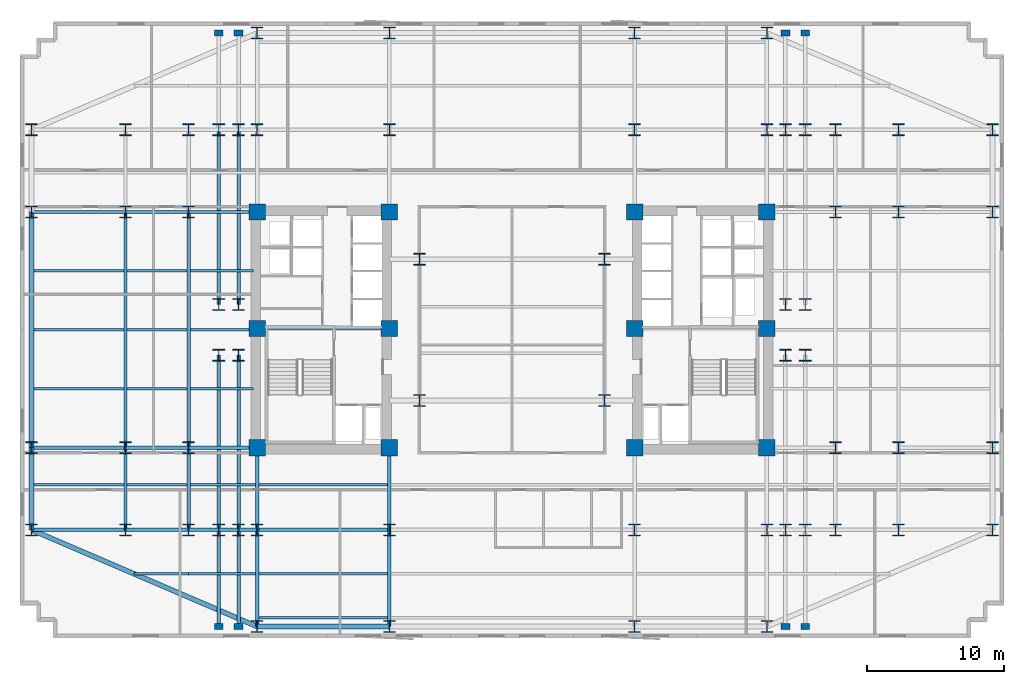
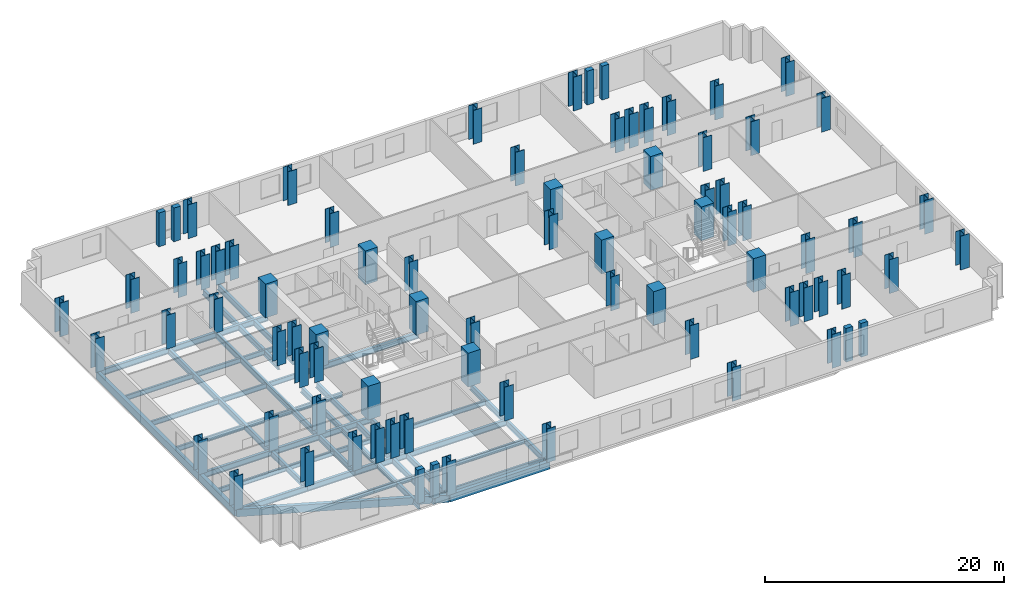
# One storey, part 1 of 10: 80 columns, 46 beams.
"""IFC4 building model written with IfcOpenShell, lengths in metres."""

from ifc_helpers import new_model, si_unit, direction, frame, origin, origin_2d, place, context, subcontext, project, spatial, rectangle, i_section, extrude, material, material_profile, profile_set, type_object, element, save


model = new_model("IFC4")

# Units and contexts
model_context = context("Model", 3, precision=1e-05, world=origin(), true_north=direction((0.0, 1.0)))
body_context = subcontext(model_context, "Body", "Model", "MODEL_VIEW")
ifc_project = project(units=[si_unit("LENGTHUNIT", "METRE"), si_unit("AREAUNIT", "SQUARE_METRE"), si_unit("VOLUMEUNIT", "CUBIC_METRE"), si_unit("PLANEANGLEUNIT", "RADIAN"), si_unit("MASSUNIT", "GRAM", prefix="KILO")], contexts=[model_context])

# Site, building, storey
site_placement = place(None, origin())
site = spatial("IfcSite", under=ifc_project, at=site_placement, CompositionType="ELEMENT")
building_placement = place(site_placement, origin())
building = spatial("IfcBuilding", under=site, at=building_placement, Name="Velakula Bourse", CompositionType="ELEMENT")
storey_placement = place(building_placement, frame((0.0, 0.0, 62.25)))
storey = spatial("IfcBuildingStorey", under=building, at=storey_placement, Name="L16", CompositionType="ELEMENT", Elevation=62.25)

# Columns
ifc_material_1 = material(Name="Concrete M70 (fck 70 MPa)", Category="concrete")
ifc_material_profile_1 = material_profile(ifc_material_1, rectangle(XDim=1.199951171875, YDim=1.199951171875, at=origin_2d()), Name="Concrete M70 (fck 70 MPa)")
ifc_profile_set_1 = profile_set([ifc_material_profile_1], Name="Concrete M70 (fck 70 MPa)")
column_type_1 = type_object("IfcColumnType", Name="COL-RC-1200", PredefinedType="COLUMN", material=ifc_profile_set_1)
for number, where, z_axis, x_axis, name in (
    (1, (-8.949951171875, -8.60009765625, 0.0), (0.0, 0.0, 1.0), (1.0, 0.0, 0.0), "L16 Core Boundary Column 01"),
    (2, (-8.949951171875, 0.10009765625, 0.0), (0.0, 0.0, 1.0), (1.0, 0.0, 0.0), "L16 Core Boundary Column 02"),
    (3, (-8.949951171875, 8.60009765625, 0.0), (0.0, 0.0, 1.0), (1.0, 0.0, 0.0), "L16 Core Boundary Column 03"),
    (4, (-18.60009765625, -8.60009765625, 0.0), (0.0, 0.0, 1.0), (1.0, 0.0, 0.0), "L16 Core Boundary Column 04"),
    (5, (-18.60009765625, 0.10009765625, 0.0), (0.0, 0.0, 1.0), (1.0, 0.0, 0.0), "L16 Core Boundary Column 05"),
    (6, (-18.60009765625, 8.60009765625, 0.0), (0.0, 0.0, 1.0), (1.0, 0.0, 0.0), "L16 Core Boundary Column 06"),
    (7, (8.949951171875, -8.60009765625, 0.0), (0.0, 0.0, 1.0), (1.0, 0.0, 0.0), "L16 Core Boundary Column 07"),
    (8, (8.949951171875, 0.10009765625, 0.0), (0.0, 0.0, 1.0), (1.0, 0.0, 0.0), "L16 Core Boundary Column 08"),
    (9, (8.949951171875, 8.60009765625, 0.0), (0.0, 0.0, 1.0), (1.0, 0.0, 0.0), "L16 Core Boundary Column 09"),
    (10, (18.60009765625, -8.60009765625, 0.0), (0.0, 0.0, 1.0), (1.0, 0.0, 0.0), "L16 Core Boundary Column 10"),
    (11, (18.60009765625, 0.10009765625, 0.0), (0.0, 0.0, 1.0), (1.0, 0.0, 0.0), "L16 Core Boundary Column 11"),
    (12, (18.60009765625, 8.60009765625, 0.0), (0.0, 0.0, 1.0), (1.0, 0.0, 0.0), "L16 Core Boundary Column 12"),
):
    element("IfcColumn", number, at=place(storey_placement, frame(where, z_axis=z_axis, x_axis=x_axis)), inside=storey, type_object=column_type_1, Name=name, PredefinedType="COLUMN", context=body_context, shape_type="SweptSolid", body=[
        extrude(rectangle(XDim=1.199951171875, YDim=1.199951171875, at=origin_2d()), origin(), (0.0, 0.0, 1.0), 3.449951171875),
    ])
ifc_material_2 = material(Name="Steel IS 2062 Grade 450 (E450)", Category="steel")
ifc_material_profile_2 = material_profile(ifc_material_2, i_section(OverallWidth=0.85009765625, OverallDepth=0.85009765625, WebThickness=0.031982421875, FlangeThickness=0.048095703125, at=origin_2d()), Name="Steel IS 2062 Grade 450 (E450)")
ifc_profile_set_2 = profile_set([ifc_material_profile_2], Name="Steel IS 2062 Grade 450 (E450)")
column_type_2 = type_object("IfcColumnType", Name="COL-STL-850", PredefinedType="COLUMN", material=ifc_profile_set_2)
for number, where, z_axis, x_axis, name in (
    (13, (-6.75, -5.14990234375, 0.0), (0.0, 0.0, 1.0), (1.0, 0.0, 0.0), "L16 Central Spine Column 01"),
    (14, (-6.75, 5.14990234375, 0.0), (0.0, 0.0, 1.0), (1.0, 0.0, 0.0), "L16 Central Spine Column 02"),
    (15, (6.75, -5.14990234375, 0.0), (0.0, 0.0, 1.0), (1.0, 0.0, 0.0), "L16 Central Spine Column 03"),
    (16, (6.75, 5.14990234375, 0.0), (0.0, 0.0, 1.0), (1.0, 0.0, 0.0), "L16 Central Spine Column 04"),
    (17, (-21.39990234375, -14.60009765625, 0.0), (0.0, 0.0, 1.0), (1.0, 0.0, 0.0), "L16 Tower Fulcrum Column 01"),
    (18, (-21.39990234375, 14.60009765625, 0.0), (0.0, 0.0, 1.0), (1.0, 0.0, 0.0), "L16 Tower Fulcrum Column 02"),
    (19, (-19.949951171875, -14.60009765625, 0.0), (0.0, 0.0, 1.0), (1.0, 0.0, 0.0), "L16 Tower Fulcrum Column 03"),
    (20, (-19.949951171875, 14.60009765625, 0.0), (0.0, 0.0, 1.0), (1.0, 0.0, 0.0), "L16 Tower Fulcrum Column 04"),
    (21, (-18.60009765625, -14.60009765625, 0.0), (0.0, 0.0, 1.0), (1.0, 0.0, 0.0), "L16 Tower Fulcrum Column 05"),
    (22, (-18.60009765625, 14.60009765625, 0.0), (0.0, 0.0, 1.0), (1.0, 0.0, 0.0), "L16 Tower Fulcrum Column 06"),
    (23, (-8.949951171875, -14.60009765625, 0.0), (0.0, 0.0, 1.0), (1.0, 0.0, 0.0), "L16 Tower Fulcrum Column 07"),
    (24, (-8.949951171875, 14.60009765625, 0.0), (0.0, 0.0, 1.0), (1.0, 0.0, 0.0), "L16 Tower Fulcrum Column 08"),
    (25, (8.949951171875, -14.60009765625, 0.0), (0.0, 0.0, 1.0), (1.0, 0.0, 0.0), "L16 Tower Fulcrum Column 09"),
    (26, (8.949951171875, 14.60009765625, 0.0), (0.0, 0.0, 1.0), (1.0, 0.0, 0.0), "L16 Tower Fulcrum Column 10"),
    (27, (18.60009765625, -14.60009765625, 0.0), (0.0, 0.0, 1.0), (1.0, 0.0, 0.0), "L16 Tower Fulcrum Column 11"),
    (28, (18.60009765625, 14.60009765625, 0.0), (0.0, 0.0, 1.0), (1.0, 0.0, 0.0), "L16 Tower Fulcrum Column 12"),
    (29, (19.949951171875, -14.60009765625, 0.0), (0.0, 0.0, 1.0), (1.0, 0.0, 0.0), "L16 Tower Fulcrum Column 13"),
    (30, (19.949951171875, 14.60009765625, 0.0), (0.0, 0.0, 1.0), (1.0, 0.0, 0.0), "L16 Tower Fulcrum Column 14"),
    (31, (21.39990234375, -14.60009765625, 0.0), (0.0, 0.0, 1.0), (1.0, 0.0, 0.0), "L16 Tower Fulcrum Column 15"),
    (32, (21.39990234375, 14.60009765625, 0.0), (0.0, 0.0, 1.0), (1.0, 0.0, 0.0), "L16 Tower Fulcrum Column 16"),
    (33, (-21.39990234375, -1.85009765625, 0.0), (0.0, 0.0, 1.0), (1.0, 0.0, 0.0), "L16 Tower Fulcrum Column 17"),
    (34, (-21.39990234375, 1.85009765625, 0.0), (0.0, 0.0, 1.0), (1.0, 0.0, 0.0), "L16 Tower Fulcrum Column 18"),
    (35, (-19.949951171875, -1.85009765625, 0.0), (0.0, 0.0, 1.0), (1.0, 0.0, 0.0), "L16 Tower Fulcrum Column 19"),
    (36, (-19.949951171875, 1.85009765625, 0.0), (0.0, 0.0, 1.0), (1.0, 0.0, 0.0), "L16 Tower Fulcrum Column 20"),
    (37, (19.949951171875, -1.85009765625, 0.0), (0.0, 0.0, 1.0), (1.0, 0.0, 0.0), "L16 Tower Fulcrum Column 21"),
    (38, (19.949951171875, 1.85009765625, 0.0), (0.0, 0.0, 1.0), (1.0, 0.0, 0.0), "L16 Tower Fulcrum Column 22"),
    (39, (21.39990234375, -1.85009765625, 0.0), (0.0, 0.0, 1.0), (1.0, 0.0, 0.0), "L16 Tower Fulcrum Column 23"),
    (40, (21.39990234375, 1.85009765625, 0.0), (0.0, 0.0, 1.0), (1.0, 0.0, 0.0), "L16 Tower Fulcrum Column 24"),
    (41, (-23.60009765625, -14.60009765625, 0.0), (0.0, 0.0, 1.0), (1.0, 0.0, 0.0), "L16 Mid-Wing Plumb Column 01"),
    (42, (-23.60009765625, -8.60009765625, 0.0), (0.0, 0.0, 1.0), (1.0, 0.0, 0.0), "L16 Mid-Wing Plumb Column 02"),
    (43, (-23.60009765625, 8.60009765625, 0.0), (0.0, 0.0, 1.0), (1.0, 0.0, 0.0), "L16 Mid-Wing Plumb Column 03"),
    (44, (-23.60009765625, 14.60009765625, 0.0), (0.0, 0.0, 1.0), (1.0, 0.0, 0.0), "L16 Mid-Wing Plumb Column 04"),
    (45, (23.60009765625, -14.60009765625, 0.0), (0.0, 0.0, 1.0), (1.0, 0.0, 0.0), "L16 Mid-Wing Plumb Column 05"),
    (46, (23.60009765625, -8.60009765625, 0.0), (0.0, 0.0, 1.0), (1.0, 0.0, 0.0), "L16 Mid-Wing Plumb Column 06"),
    (47, (23.60009765625, 8.60009765625, 0.0), (0.0, 0.0, 1.0), (1.0, 0.0, 0.0), "L16 Mid-Wing Plumb Column 07"),
    (48, (23.60009765625, 14.60009765625, 0.0), (0.0, 0.0, 1.0), (1.0, 0.0, 0.0), "L16 Mid-Wing Plumb Column 08"),
    (49, (-28.199951171875, -14.60009765625, 0.0), (0.0, 0.0, 1.0), (1.0, 0.0, 0.0), "L16 Lower Wing Column 01"),
    (50, (-28.199951171875, -8.60009765625, 0.0), (0.0, 0.0, 1.0), (1.0, 0.0, 0.0), "L16 Lower Wing Column 02"),
    (51, (-28.199951171875, 8.60009765625, 0.0), (0.0, 0.0, 1.0), (1.0, 0.0, 0.0), "L16 Lower Wing Column 03"),
    (52, (-28.199951171875, 14.60009765625, 0.0), (0.0, 0.0, 1.0), (1.0, 0.0, 0.0), "L16 Lower Wing Column 04"),
    (53, (28.199951171875, -14.60009765625, 0.0), (0.0, 0.0, 1.0), (1.0, 0.0, 0.0), "L16 Lower Wing Column 05"),
    (54, (28.199951171875, -8.60009765625, 0.0), (0.0, 0.0, 1.0), (1.0, 0.0, 0.0), "L16 Lower Wing Column 06"),
    (55, (28.199951171875, 8.60009765625, 0.0), (0.0, 0.0, 1.0), (1.0, 0.0, 0.0), "L16 Lower Wing Column 07"),
    (56, (28.199951171875, 14.60009765625, 0.0), (0.0, 0.0, 1.0), (1.0, 0.0, 0.0), "L16 Lower Wing Column 08"),
    (57, (-18.60009765625, -21.64990234375, 0.0), (0.0, 0.0, 1.0), (1.0, 0.0, 0.0), "L16 Block B1 Perimeter Column S1"),
    (58, (-8.949951171875, -21.64990234375, 0.0), (0.0, 0.0, 1.0), (1.0, 0.0, 0.0), "L16 Block B1 Perimeter Column S2"),
    (59, (8.949951171875, -21.64990234375, 0.0), (0.0, 0.0, 1.0), (1.0, 0.0, 0.0), "L16 Block B1 Perimeter Column S3"),
    (60, (18.60009765625, -21.64990234375, 0.0), (0.0, 0.0, 1.0), (1.0, 0.0, 0.0), "L16 Block B1 Perimeter Column S4"),
    (61, (-18.60009765625, 21.64990234375, 0.0), (0.0, 0.0, 1.0), (1.0, 0.0, 0.0), "L16 Block B1 Perimeter Column N1"),
    (62, (-8.949951171875, 21.64990234375, 0.0), (0.0, 0.0, 1.0), (1.0, 0.0, 0.0), "L16 Block B1 Perimeter Column N2"),
    (63, (8.949951171875, 21.64990234375, 0.0), (0.0, 0.0, 1.0), (1.0, 0.0, 0.0), "L16 Block B1 Perimeter Column N3"),
    (64, (18.60009765625, 21.64990234375, 0.0), (0.0, 0.0, 1.0), (1.0, 0.0, 0.0), "L16 Block B1 Perimeter Column N4"),
    (65, (-35.050048828125, -14.60009765625, 0.0), (0.0, 0.0, 1.0), (1.0, 0.0, 0.0), "L16 Block B1 Perimeter Column W1"),
    (66, (-35.050048828125, -8.60009765625, 0.0), (0.0, 0.0, 1.0), (1.0, 0.0, 0.0), "L16 Block B1 Perimeter Column W2"),
    (67, (-35.050048828125, 8.60009765625, 0.0), (0.0, 0.0, 1.0), (1.0, 0.0, 0.0), "L16 Block B1 Perimeter Column W3"),
    (68, (-35.050048828125, 14.60009765625, 0.0), (0.0, 0.0, 1.0), (1.0, 0.0, 0.0), "L16 Block B1 Perimeter Column W4"),
    (69, (35.050048828125, -14.60009765625, 0.0), (0.0, 0.0, 1.0), (1.0, 0.0, 0.0), "L16 Block B1 Perimeter Column E1"),
    (70, (35.050048828125, -8.60009765625, 0.0), (0.0, 0.0, 1.0), (1.0, 0.0, 0.0), "L16 Block B1 Perimeter Column E2"),
    (71, (35.050048828125, 8.60009765625, 0.0), (0.0, 0.0, 1.0), (1.0, 0.0, 0.0), "L16 Block B1 Perimeter Column E3"),
    (72, (35.050048828125, 14.60009765625, 0.0), (0.0, 0.0, 1.0), (1.0, 0.0, 0.0), "L16 Block B1 Perimeter Column E4"),
):
    element("IfcColumn", number, at=place(storey_placement, frame(where, z_axis=z_axis, x_axis=x_axis)), inside=storey, type_object=column_type_2, Name=name, PredefinedType="COLUMN", context=body_context, shape_type="SweptSolid", body=[
        extrude(i_section(OverallWidth=0.85009765625, OverallDepth=0.85009765625, WebThickness=0.031982421875, FlangeThickness=0.048095703125, at=origin_2d()), origin(), (0.0, 0.0, 1.0), 3.449951171875),
    ])
ifc_material_3 = material(Name="Precast concrete M45 (fck 45 MPa)", Category="concrete")
ifc_material_profile_3 = material_profile(ifc_material_3, rectangle(XDim=0.64990234375, YDim=0.449951171875, at=origin_2d()), Name="Precast concrete M45 (fck 45 MPa)")
ifc_profile_set_3 = profile_set([ifc_material_profile_3], Name="Precast concrete M45 (fck 45 MPa)")
column_type_3 = type_object("IfcColumnType", Name="PIL-BRICK-650", PredefinedType="PILASTER", material=ifc_profile_set_3)
for number, where, z_axis, x_axis, name in (
    (73, (-21.39990234375, -21.64990234375, 0.0), (0.0, 0.0, 1.0), (1.0, 0.0, 0.0), "L16 Brick Pier Pilaster 01"),
    (74, (-19.949951171875, -21.64990234375, 0.0), (0.0, 0.0, 1.0), (1.0, 0.0, 0.0), "L16 Brick Pier Pilaster 02"),
    (75, (19.949951171875, -21.64990234375, 0.0), (0.0, 0.0, 1.0), (1.0, 0.0, 0.0), "L16 Brick Pier Pilaster 03"),
    (76, (21.39990234375, -21.64990234375, 0.0), (0.0, 0.0, 1.0), (1.0, 0.0, 0.0), "L16 Brick Pier Pilaster 04"),
    (77, (-21.39990234375, 21.64990234375, 0.0), (0.0, 0.0, 1.0), (1.0, 0.0, 0.0), "L16 Brick Pier Pilaster 05"),
    (78, (-19.949951171875, 21.64990234375, 0.0), (0.0, 0.0, 1.0), (1.0, 0.0, 0.0), "L16 Brick Pier Pilaster 06"),
    (79, (19.949951171875, 21.64990234375, 0.0), (0.0, 0.0, 1.0), (1.0, 0.0, 0.0), "L16 Brick Pier Pilaster 07"),
    (80, (21.39990234375, 21.64990234375, 0.0), (0.0, 0.0, 1.0), (1.0, 0.0, 0.0), "L16 Brick Pier Pilaster 08"),
):
    element("IfcColumn", number, at=place(storey_placement, frame(where, z_axis=z_axis, x_axis=x_axis)), inside=storey, type_object=column_type_3, Name=name, PredefinedType="PILASTER", context=body_context, shape_type="SweptSolid", body=[
        extrude(rectangle(XDim=0.64990234375, YDim=0.449951171875, at=origin_2d()), origin(), (0.0, 0.0, 1.0), 3.449951171875),
    ])

# Beams
ifc_material_4 = material(Name="Steel IS 2062 Grade 350 (E350)", Category="steel")
ifc_material_profile_4 = material_profile(ifc_material_4, i_section(OverallWidth=0.25, OverallDepth=0.60009765625, WebThickness=0.01171875, FlangeThickness=0.023681640625, at=origin_2d()), Name="Steel IS 2062 Grade 350 (E350)")
ifc_profile_set_4 = profile_set([ifc_material_profile_4], Name="Steel IS 2062 Grade 350 (E350)")
beam_type_1 = type_object("IfcBeamType", Name="BM-GRD-600H", PredefinedType="BEAM", material=ifc_profile_set_4)
beam_1_placement = place(storey_placement, frame((-18.60009765625, 0.10009765625, -0.47998046875), z_axis=(1.0, 0.0, 0.0), x_axis=(0.0, 1.0, 0.0)))
element("IfcBeam", 81, at=beam_1_placement, inside=storey, type_object=beam_type_1, Name="L16 Primary Backbone Girder CRW-M", PredefinedType="BEAM", context=body_context, shape_type="SweptSolid", body=[
    extrude(i_section(OverallWidth=0.25, OverallDepth=0.60009765625, WebThickness=0.01171875, FlangeThickness=0.023681640625, at=origin_2d()), origin(), (0.0, 0.0, 1.0), 9.650146484375),
])
for number, where, z_axis, x_axis, name in (
    (82, (-18.60009765625, -14.60009765625, -0.47998046875), (0.0, 1.0, 0.0), (-1.0, 0.0, 0.0), "L16 Fulcrum Grid Girder FLC-WS"),
    (83, (-8.949951171875, -14.60009765625, -0.47998046875), (0.0, 1.0, 0.0), (-1.0, 0.0, 0.0), "L16 Fulcrum Grid Girder FLC-WCS"),
):
    element("IfcBeam", number, at=place(storey_placement, frame(where, z_axis=z_axis, x_axis=x_axis)), inside=storey, type_object=beam_type_1, Name=name, PredefinedType="BEAM", context=body_context, shape_type="SweptSolid", body=[
        extrude(i_section(OverallWidth=0.25, OverallDepth=0.60009765625, WebThickness=0.01171875, FlangeThickness=0.023681640625, at=origin_2d()), origin(), (0.0, 0.0, 1.0), 6.0),
    ])
beam_2_placement = place(storey_placement, frame((-18.60009765625, -14.60009765625, -0.47998046875), z_axis=(1.0, 0.0, 0.0), x_axis=(0.0, 1.0, 0.0)))
element("IfcBeam", 84, at=beam_2_placement, inside=storey, type_object=beam_type_1, Name="L16 Fulcrum Grid Girder FLC-S1", PredefinedType="BEAM", context=body_context, shape_type="SweptSolid", body=[
    extrude(i_section(OverallWidth=0.25, OverallDepth=0.60009765625, WebThickness=0.01171875, FlangeThickness=0.023681640625, at=origin_2d()), origin(), (0.0, 0.0, 1.0), 9.650146484375),
])
for number, where, z_axis, x_axis, name in (
    (85, (-21.39990234375, -14.60009765625, -0.47998046875), (0.0, 1.0, 0.0), (-1.0, 0.0, 0.0), "L16 Fulcrum Grid Girder FLC-PSW1"),
    (86, (-21.39990234375, 1.85009765625, -0.47998046875), (0.0, 1.0, 0.0), (-1.0, 0.0, 0.0), "L16 Fulcrum Grid Girder FLC-PNW1"),
    (87, (-19.949951171875, -14.60009765625, -0.47998046875), (0.0, 1.0, 0.0), (-1.0, 0.0, 0.0), "L16 Fulcrum Grid Girder FLC-PSW2"),
    (88, (-19.949951171875, 1.85009765625, -0.47998046875), (0.0, 1.0, 0.0), (-1.0, 0.0, 0.0), "L16 Fulcrum Grid Girder FLC-PNW2"),
):
    element("IfcBeam", number, at=place(storey_placement, frame(where, z_axis=z_axis, x_axis=x_axis)), inside=storey, type_object=beam_type_1, Name=name, PredefinedType="BEAM", context=body_context, shape_type="SweptSolid", body=[
        extrude(i_section(OverallWidth=0.25, OverallDepth=0.60009765625, WebThickness=0.01171875, FlangeThickness=0.023681640625, at=origin_2d()), origin(), (0.0, 0.0, 1.0), 12.75),
    ])
for number, where, z_axis, x_axis, name in (
    (89, (-23.60009765625, -14.60009765625, -0.47998046875), (1.0, 0.0, 0.0), (0.0, 1.0, 0.0), "L16 Fulcrum Grid Girder MWG-WS1"),
    (90, (-23.60009765625, -8.60009765625, -0.47998046875), (1.0, 0.0, 0.0), (0.0, 1.0, 0.0), "L16 Fulcrum Grid Girder MWG-WS2"),
    (91, (-23.60009765625, 8.60009765625, -0.47998046875), (1.0, 0.0, 0.0), (0.0, 1.0, 0.0), "L16 Fulcrum Grid Girder MWG-WN1"),
):
    element("IfcBeam", number, at=place(storey_placement, frame(where, z_axis=z_axis, x_axis=x_axis)), inside=storey, type_object=beam_type_1, Name=name, PredefinedType="BEAM", context=body_context, shape_type="SweptSolid", body=[
        extrude(i_section(OverallWidth=0.25, OverallDepth=0.60009765625, WebThickness=0.01171875, FlangeThickness=0.023681640625, at=origin_2d()), origin(), (0.0, 0.0, 1.0), 5.0),
    ])
beam_3_placement = place(storey_placement, frame((-23.60009765625, -14.60009765625, -0.47998046875), z_axis=(0.0, 1.0, 0.0), x_axis=(-1.0, 0.0, 0.0)))
element("IfcBeam", 92, at=beam_3_placement, inside=storey, type_object=beam_type_1, Name="L16 Fulcrum Grid Girder MWG-WNS1", PredefinedType="BEAM", context=body_context, shape_type="SweptSolid", body=[
    extrude(i_section(OverallWidth=0.25, OverallDepth=0.60009765625, WebThickness=0.01171875, FlangeThickness=0.023681640625, at=origin_2d()), origin(), (0.0, 0.0, 1.0), 6.0),
])
beam_4_placement = place(storey_placement, frame((-23.60009765625, -8.60009765625, -0.47998046875), z_axis=(0.0, 1.0, 0.0), x_axis=(-1.0, 0.0, 0.0)))
element("IfcBeam", 93, at=beam_4_placement, inside=storey, type_object=beam_type_1, Name="L16 Fulcrum Grid Girder MWG-WNS2", PredefinedType="BEAM", context=body_context, shape_type="SweptSolid", body=[
    extrude(i_section(OverallWidth=0.25, OverallDepth=0.60009765625, WebThickness=0.01171875, FlangeThickness=0.023681640625, at=origin_2d()), origin(), (0.0, 0.0, 1.0), 17.2001953125),
])
for number, where, z_axis, x_axis, name in (
    (94, (-28.199951171875, -14.60009765625, -0.47998046875), (1.0, 0.0, 0.0), (0.0, 1.0, 0.0), "L16 Fulcrum Grid Girder WNG-WS1"),
    (95, (-28.199951171875, -8.60009765625, -0.47998046875), (1.0, 0.0, 0.0), (0.0, 1.0, 0.0), "L16 Fulcrum Grid Girder WNG-WS2"),
    (96, (-28.199951171875, 8.60009765625, -0.47998046875), (1.0, 0.0, 0.0), (0.0, 1.0, 0.0), "L16 Fulcrum Grid Girder WNG-WN1"),
):
    element("IfcBeam", number, at=place(storey_placement, frame(where, z_axis=z_axis, x_axis=x_axis)), inside=storey, type_object=beam_type_1, Name=name, PredefinedType="BEAM", context=body_context, shape_type="SweptSolid", body=[
        extrude(i_section(OverallWidth=0.25, OverallDepth=0.60009765625, WebThickness=0.01171875, FlangeThickness=0.023681640625, at=origin_2d()), origin(), (0.0, 0.0, 1.0), 4.599853515625),
    ])
beam_5_placement = place(storey_placement, frame((-28.199951171875, -14.60009765625, -0.47998046875), z_axis=(0.0, 1.0, 0.0), x_axis=(-1.0, 0.0, 0.0)))
element("IfcBeam", 97, at=beam_5_placement, inside=storey, type_object=beam_type_1, Name="L16 Fulcrum Grid Girder WNG-WNS1", PredefinedType="BEAM", context=body_context, shape_type="SweptSolid", body=[
    extrude(i_section(OverallWidth=0.25, OverallDepth=0.60009765625, WebThickness=0.01171875, FlangeThickness=0.023681640625, at=origin_2d()), origin(), (0.0, 0.0, 1.0), 6.0),
])
beam_6_placement = place(storey_placement, frame((-28.199951171875, -8.60009765625, -0.47998046875), z_axis=(0.0, 1.0, 0.0), x_axis=(-1.0, 0.0, 0.0)))
element("IfcBeam", 98, at=beam_6_placement, inside=storey, type_object=beam_type_1, Name="L16 Fulcrum Grid Girder WNG-WNS2", PredefinedType="BEAM", context=body_context, shape_type="SweptSolid", body=[
    extrude(i_section(OverallWidth=0.25, OverallDepth=0.60009765625, WebThickness=0.01171875, FlangeThickness=0.023681640625, at=origin_2d()), origin(), (0.0, 0.0, 1.0), 17.2001953125),
])
for number, where, z_axis, x_axis, name in (
    (99, (-18.60009765625, -14.60009765625, -0.47998046875), (0.0, -1.0, 0.0), (1.0, 0.0, 0.0), "L16 Perimeter Tie Girder S1"),
    (100, (-8.949951171875, -14.60009765625, -0.47998046875), (0.0, -1.0, 0.0), (1.0, 0.0, 0.0), "L16 Perimeter Tie Girder S2"),
):
    element("IfcBeam", number, at=place(storey_placement, frame(where, z_axis=z_axis, x_axis=x_axis)), inside=storey, type_object=beam_type_1, Name=name, PredefinedType="BEAM", context=body_context, shape_type="SweptSolid", body=[
        extrude(i_section(OverallWidth=0.25, OverallDepth=0.60009765625, WebThickness=0.01171875, FlangeThickness=0.023681640625, at=origin_2d()), origin(), (0.0, 0.0, 1.0), 7.0498046875),
    ])
for number, where, z_axis, x_axis, name in (
    (101, (-28.199951171875, -14.60009765625, -0.47998046875), (-1.0, 0.0, 0.0), (0.0, -1.0, 0.0), "L16 Perimeter Tie Girder W1"),
    (102, (-28.199951171875, -8.60009765625, -0.47998046875), (-1.0, 0.0, 0.0), (0.0, -1.0, 0.0), "L16 Perimeter Tie Girder W2"),
    (103, (-28.199951171875, 8.60009765625, -0.47998046875), (-1.0, 0.0, 0.0), (0.0, -1.0, 0.0), "L16 Perimeter Tie Girder W3"),
):
    element("IfcBeam", number, at=place(storey_placement, frame(where, z_axis=z_axis, x_axis=x_axis)), inside=storey, type_object=beam_type_1, Name=name, PredefinedType="BEAM", context=body_context, shape_type="SweptSolid", body=[
        extrude(i_section(OverallWidth=0.25, OverallDepth=0.60009765625, WebThickness=0.01171875, FlangeThickness=0.023681640625, at=origin_2d()), origin(), (0.0, 0.0, 1.0), 6.85009765625),
    ])
for number, where, z_axis, x_axis, name in (
    (104, (-21.39990234375, -14.60009765625, -0.47998046875), (0.0, -1.0, 0.0), (1.0, 0.0, 0.0), "L16 Perimeter Tie Girder P01"),
    (105, (-19.949951171875, -14.60009765625, -0.47998046875), (0.0, -1.0, 0.0), (1.0, 0.0, 0.0), "L16 Perimeter Tie Girder P02"),
):
    element("IfcBeam", number, at=place(storey_placement, frame(where, z_axis=z_axis, x_axis=x_axis)), inside=storey, type_object=beam_type_1, Name=name, PredefinedType="BEAM", context=body_context, shape_type="SweptSolid", body=[
        extrude(i_section(OverallWidth=0.25, OverallDepth=0.60009765625, WebThickness=0.01171875, FlangeThickness=0.023681640625, at=origin_2d()), origin(), (0.0, 0.0, 1.0), 7.0498046875),
    ])
ifc_material_profile_5 = material_profile(ifc_material_4, i_section(OverallWidth=0.179931640625, OverallDepth=0.5, WebThickness=0.01025390625, FlangeThickness=0.01708984375, at=origin_2d()), Name="Steel IS 2062 Grade 350 (E350)")
ifc_profile_set_5 = profile_set([ifc_material_profile_5], Name="Steel IS 2062 Grade 350 (E350)")
beam_type_2 = type_object("IfcBeamType", Name="JST-TWR-500", PredefinedType="JOIST", material=ifc_profile_set_5)
beam_7_placement = place(storey_placement, frame((-18.47509765625, -21.0, -0.429931640625), z_axis=(1.0, 0.0, 0.0), x_axis=(0.0, 1.0, 0.0)))
element("IfcBeam", 106, at=beam_7_placement, inside=storey, type_object=beam_type_2, Name="L16 Trading Floor Composite Joist 01", PredefinedType="JOIST", context=body_context, shape_type="SweptSolid", body=[
    extrude(i_section(OverallWidth=0.179931640625, OverallDepth=0.5, WebThickness=0.01025390625, FlangeThickness=0.01708984375, at=origin_2d()), origin(), (0.0, 0.0, 1.0), 9.400146484375),
])
beam_8_placement = place(storey_placement, frame((-27.583251953125, -17.800048828125, -0.429931640625), z_axis=(1.0, 0.0, 0.0), x_axis=(0.0, 1.0, 0.0)))
element("IfcBeam", 107, at=beam_8_placement, inside=storey, type_object=beam_type_2, Name="L16 Trading Floor Composite Joist 04", PredefinedType="JOIST", context=body_context, shape_type="SweptSolid", body=[
    extrude(i_section(OverallWidth=0.179931640625, OverallDepth=0.5, WebThickness=0.01025390625, FlangeThickness=0.01708984375, at=origin_2d()), origin(), (0.0, 0.0, 1.0), 3.983154296875),
])
beam_9_placement = place(storey_placement, frame((-23.60009765625, -17.800048828125, -0.429931640625), z_axis=(1.0, 0.0, 0.0), x_axis=(0.0, 1.0, 0.0)))
element("IfcBeam", 108, at=beam_9_placement, inside=storey, type_object=beam_type_2, Name="L16 Trading Floor Composite Joist 05", PredefinedType="JOIST", context=body_context, shape_type="SweptSolid", body=[
    extrude(i_section(OverallWidth=0.179931640625, OverallDepth=0.5, WebThickness=0.01025390625, FlangeThickness=0.01708984375, at=origin_2d()), origin(), (0.0, 0.0, 1.0), 4.875),
])
beam_10_placement = place(storey_placement, frame((-18.47509765625, -17.800048828125, -0.429931640625), z_axis=(1.0, 0.0, 0.0), x_axis=(0.0, 1.0, 0.0)))
element("IfcBeam", 109, at=beam_10_placement, inside=storey, type_object=beam_type_2, Name="L16 Trading Floor Composite Joist 06", PredefinedType="JOIST", context=body_context, shape_type="SweptSolid", body=[
    extrude(i_section(OverallWidth=0.179931640625, OverallDepth=0.5, WebThickness=0.01025390625, FlangeThickness=0.01708984375, at=origin_2d()), origin(), (0.0, 0.0, 1.0), 9.400146484375),
])
beam_11_placement = place(storey_placement, frame((-34.875, -11.300048828125, -0.429931640625), z_axis=(1.0, 0.0, 0.0), x_axis=(0.0, 1.0, 0.0)))
element("IfcBeam", 110, at=beam_11_placement, inside=storey, type_object=beam_type_2, Name="L16 Trading Floor Composite Joist 11", PredefinedType="JOIST", context=body_context, shape_type="SweptSolid", body=[
    extrude(i_section(OverallWidth=0.179931640625, OverallDepth=0.5, WebThickness=0.01025390625, FlangeThickness=0.01708984375, at=origin_2d()), origin(), (0.0, 0.0, 1.0), 6.550048828125),
])
beam_12_placement = place(storey_placement, frame((-28.074951171875, -11.300048828125, -0.429931640625), z_axis=(1.0, 0.0, 0.0), x_axis=(0.0, 1.0, 0.0)))
element("IfcBeam", 111, at=beam_12_placement, inside=storey, type_object=beam_type_2, Name="L16 Trading Floor Composite Joist 12", PredefinedType="JOIST", context=body_context, shape_type="SweptSolid", body=[
    extrude(i_section(OverallWidth=0.179931640625, OverallDepth=0.5, WebThickness=0.01025390625, FlangeThickness=0.01708984375, at=origin_2d()), origin(), (0.0, 0.0, 1.0), 4.349853515625),
])
beam_13_placement = place(storey_placement, frame((-23.47509765625, -11.300048828125, -0.429931640625), z_axis=(1.0, 0.0, 0.0), x_axis=(0.0, 1.0, 0.0)))
element("IfcBeam", 112, at=beam_13_placement, inside=storey, type_object=beam_type_2, Name="L16 Trading Floor Composite Joist 13", PredefinedType="JOIST", context=body_context, shape_type="SweptSolid", body=[
    extrude(i_section(OverallWidth=0.179931640625, OverallDepth=0.5, WebThickness=0.01025390625, FlangeThickness=0.01708984375, at=origin_2d()), origin(), (0.0, 0.0, 1.0), 4.75),
])
beam_14_placement = place(storey_placement, frame((-18.47509765625, -11.300048828125, -0.429931640625), z_axis=(1.0, 0.0, 0.0), x_axis=(0.0, 1.0, 0.0)))
element("IfcBeam", 113, at=beam_14_placement, inside=storey, type_object=beam_type_2, Name="L16 Trading Floor Composite Joist 14", PredefinedType="JOIST", context=body_context, shape_type="SweptSolid", body=[
    extrude(i_section(OverallWidth=0.179931640625, OverallDepth=0.5, WebThickness=0.01025390625, FlangeThickness=0.01708984375, at=origin_2d()), origin(), (0.0, 0.0, 1.0), 9.400146484375),
])
beam_15_placement = place(storey_placement, frame((-34.875, -4.300048828125, -0.429931640625), z_axis=(1.0, 0.0, 0.0), x_axis=(0.0, 1.0, 0.0)))
element("IfcBeam", 114, at=beam_15_placement, inside=storey, type_object=beam_type_2, Name="L16 Trading Floor Composite Joist 41", PredefinedType="JOIST", context=body_context, shape_type="SweptSolid", body=[
    extrude(i_section(OverallWidth=0.179931640625, OverallDepth=0.5, WebThickness=0.01025390625, FlangeThickness=0.01708984375, at=origin_2d()), origin(), (0.0, 0.0, 1.0), 6.550048828125),
])
beam_16_placement = place(storey_placement, frame((-28.074951171875, -4.300048828125, -0.429931640625), z_axis=(1.0, 0.0, 0.0), x_axis=(0.0, 1.0, 0.0)))
element("IfcBeam", 115, at=beam_16_placement, inside=storey, type_object=beam_type_2, Name="L16 Trading Floor Composite Joist 42", PredefinedType="JOIST", context=body_context, shape_type="SweptSolid", body=[
    extrude(i_section(OverallWidth=0.179931640625, OverallDepth=0.5, WebThickness=0.01025390625, FlangeThickness=0.01708984375, at=origin_2d()), origin(), (0.0, 0.0, 1.0), 4.349853515625),
])
beam_17_placement = place(storey_placement, frame((-23.47509765625, -4.300048828125, -0.429931640625), z_axis=(1.0, 0.0, 0.0), x_axis=(0.0, 1.0, 0.0)))
element("IfcBeam", 116, at=beam_17_placement, inside=storey, type_object=beam_type_2, Name="L16 Trading Floor Composite Joist 43", PredefinedType="JOIST", context=body_context, shape_type="SweptSolid", body=[
    extrude(i_section(OverallWidth=0.179931640625, OverallDepth=0.5, WebThickness=0.01025390625, FlangeThickness=0.01708984375, at=origin_2d()), origin(), (0.0, 0.0, 1.0), 4.625),
])
beam_18_placement = place(storey_placement, frame((-34.875, 0.0, -0.429931640625), z_axis=(1.0, 0.0, 0.0), x_axis=(0.0, 1.0, 0.0)))
element("IfcBeam", 117, at=beam_18_placement, inside=storey, type_object=beam_type_2, Name="L16 Trading Floor Composite Joist 47", PredefinedType="JOIST", context=body_context, shape_type="SweptSolid", body=[
    extrude(i_section(OverallWidth=0.179931640625, OverallDepth=0.5, WebThickness=0.01025390625, FlangeThickness=0.01708984375, at=origin_2d()), origin(), (0.0, 0.0, 1.0), 6.550048828125),
])
beam_19_placement = place(storey_placement, frame((-28.074951171875, 0.0, -0.429931640625), z_axis=(1.0, 0.0, 0.0), x_axis=(0.0, 1.0, 0.0)))
element("IfcBeam", 118, at=beam_19_placement, inside=storey, type_object=beam_type_2, Name="L16 Trading Floor Composite Joist 48", PredefinedType="JOIST", context=body_context, shape_type="SweptSolid", body=[
    extrude(i_section(OverallWidth=0.179931640625, OverallDepth=0.5, WebThickness=0.01025390625, FlangeThickness=0.01708984375, at=origin_2d()), origin(), (0.0, 0.0, 1.0), 4.349853515625),
])
beam_20_placement = place(storey_placement, frame((-23.47509765625, 0.0, -0.429931640625), z_axis=(1.0, 0.0, 0.0), x_axis=(0.0, 1.0, 0.0)))
element("IfcBeam", 119, at=beam_20_placement, inside=storey, type_object=beam_type_2, Name="L16 Trading Floor Composite Joist 49", PredefinedType="JOIST", context=body_context, shape_type="SweptSolid", body=[
    extrude(i_section(OverallWidth=0.179931640625, OverallDepth=0.5, WebThickness=0.01025390625, FlangeThickness=0.01708984375, at=origin_2d()), origin(), (0.0, 0.0, 1.0), 4.625),
])
beam_21_placement = place(storey_placement, frame((-34.875, 4.300048828125, -0.429931640625), z_axis=(1.0, 0.0, 0.0), x_axis=(0.0, 1.0, 0.0)))
element("IfcBeam", 120, at=beam_21_placement, inside=storey, type_object=beam_type_2, Name="L16 Trading Floor Composite Joist 53", PredefinedType="JOIST", context=body_context, shape_type="SweptSolid", body=[
    extrude(i_section(OverallWidth=0.179931640625, OverallDepth=0.5, WebThickness=0.01025390625, FlangeThickness=0.01708984375, at=origin_2d()), origin(), (0.0, 0.0, 1.0), 6.550048828125),
])
beam_22_placement = place(storey_placement, frame((-28.074951171875, 4.300048828125, -0.429931640625), z_axis=(1.0, 0.0, 0.0), x_axis=(0.0, 1.0, 0.0)))
element("IfcBeam", 121, at=beam_22_placement, inside=storey, type_object=beam_type_2, Name="L16 Trading Floor Composite Joist 54", PredefinedType="JOIST", context=body_context, shape_type="SweptSolid", body=[
    extrude(i_section(OverallWidth=0.179931640625, OverallDepth=0.5, WebThickness=0.01025390625, FlangeThickness=0.01708984375, at=origin_2d()), origin(), (0.0, 0.0, 1.0), 4.349853515625),
])
beam_23_placement = place(storey_placement, frame((-23.47509765625, 4.300048828125, -0.429931640625), z_axis=(1.0, 0.0, 0.0), x_axis=(0.0, 1.0, 0.0)))
element("IfcBeam", 122, at=beam_23_placement, inside=storey, type_object=beam_type_2, Name="L16 Trading Floor Composite Joist 55", PredefinedType="JOIST", context=body_context, shape_type="SweptSolid", body=[
    extrude(i_section(OverallWidth=0.179931640625, OverallDepth=0.5, WebThickness=0.01025390625, FlangeThickness=0.01708984375, at=origin_2d()), origin(), (0.0, 0.0, 1.0), 4.625),
])
ifc_material_profile_6 = material_profile(ifc_material_3, rectangle(XDim=0.35009765625, YDim=0.75, at=origin_2d()), Name="Precast concrete M45 (fck 45 MPa)")
ifc_profile_set_6 = profile_set([ifc_material_profile_6], Name="Precast concrete M45 (fck 45 MPa)")
beam_type_3 = type_object("IfcBeamType", Name="SPN-BRICK-750", PredefinedType="SPANDREL", material=ifc_profile_set_6)
beam_24_placement = place(storey_placement, frame((-18.60009765625, -21.64990234375, -0.554931640625), z_axis=(1.0, 0.0, 0.0), x_axis=(0.0, 1.0, 0.0)))
element("IfcBeam", 123, at=beam_24_placement, inside=storey, type_object=beam_type_3, Name="L16 Brick-Faced Precast Spandrel S1-S2", PredefinedType="SPANDREL", context=body_context, shape_type="SweptSolid", body=[
    extrude(rectangle(XDim=0.35009765625, YDim=0.75, at=origin_2d()), origin(), (0.0, 0.0, 1.0), 9.650146484375),
])
beam_25_placement = place(storey_placement, frame((-35.050048828125, -14.60009765625, -0.554931640625), z_axis=(0.0, 1.0, 0.0), x_axis=(-1.0, 0.0, 0.0)))
element("IfcBeam", 124, at=beam_25_placement, inside=storey, type_object=beam_type_3, Name="L16 Brick-Faced Precast Spandrel W1-W2", PredefinedType="SPANDREL", context=body_context, shape_type="SweptSolid", body=[
    extrude(rectangle(XDim=0.35009765625, YDim=0.75, at=origin_2d()), origin(), (0.0, 0.0, 1.0), 6.0),
])
beam_26_placement = place(storey_placement, frame((-35.050048828125, -8.60009765625, -0.554931640625), z_axis=(0.0, 1.0, 0.0), x_axis=(-1.0, 0.0, 0.0)))
element("IfcBeam", 125, at=beam_26_placement, inside=storey, type_object=beam_type_3, Name="L16 Brick-Faced Precast Spandrel W2-W3", PredefinedType="SPANDREL", context=body_context, shape_type="SweptSolid", body=[
    extrude(rectangle(XDim=0.35009765625, YDim=0.75, at=origin_2d()), origin(), (0.0, 0.0, 1.0), 17.2001953125),
])
beam_27_placement = place(storey_placement, frame((-35.050048828125, -14.60009765625, -0.554931640625), z_axis=(0.919148557947, -0.393911066642, 0.0), x_axis=(0.393911066642, 0.919148557947, 0.0)))
element("IfcBeam", 126, at=beam_27_placement, inside=storey, type_object=beam_type_3, Name="L16 Brick-Faced Precast Spandrel W1-S1", PredefinedType="SPANDREL", context=body_context, shape_type="SweptSolid", body=[
    extrude(rectangle(XDim=0.35009765625, YDim=0.75, at=origin_2d()), origin(), (0.0, 0.0, 1.0), 17.89697265625),
])

save(model, "model.ifc")
